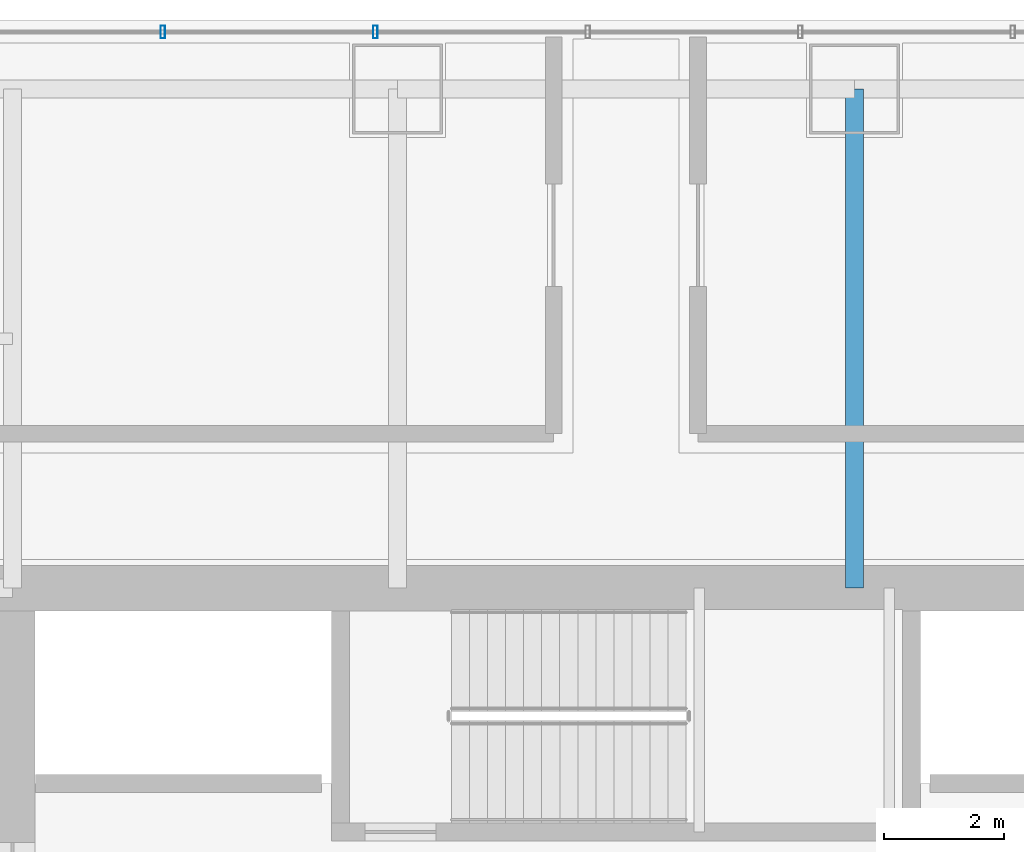
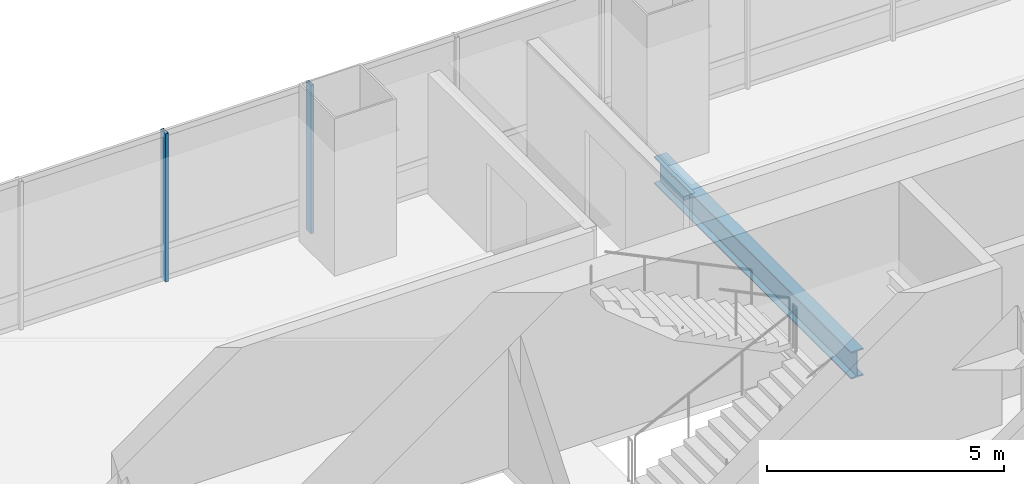
# One storey, part 21 of 36: 2 members, 1 beam, 1 element without a shape of its own.
"""IFC4 building model written with IfcOpenShell, lengths in metres."""

from ifc_helpers import new_model, si_unit, direction, frame, origin, origin_2d, place, context, subcontext, project, spatial, hollow_rectangle, i_section, extrude, material, material_profile, profile_set, type_object, element, aggregate, save


model = new_model("IFC4")

# Units and contexts
model_context = context("Model", 3, precision=1e-05, world=origin(), true_north=direction((0.0, 1.0)))
body_context = subcontext(model_context, "Body", "Model", "MODEL_VIEW")
ifc_project = project(units=[si_unit("LENGTHUNIT", "METRE"), si_unit("AREAUNIT", "SQUARE_METRE"), si_unit("VOLUMEUNIT", "CUBIC_METRE"), si_unit("PLANEANGLEUNIT", "RADIAN"), si_unit("MASSUNIT", "GRAM", prefix="KILO")], contexts=[model_context])

# Site, building, storey
site_placement = place(None, origin())
site = spatial("IfcSite", under=ifc_project, at=site_placement, CompositionType="ELEMENT")
building_placement = place(site_placement, origin())
building = spatial("IfcBuilding", under=site, at=building_placement, Name="Punatoya Terracotta Tower", CompositionType="ELEMENT")
storey_placement = place(building_placement, frame((0.0, 0.0, 48.449951171875)))
storey = spatial("IfcBuildingStorey", under=building, at=storey_placement, Name="L10", CompositionType="ELEMENT", Elevation=48.449951171875)

# Beam
ifc_material_1 = material(Name="Steel S355", Category="steel")
ifc_material_profile_1 = material_profile(ifc_material_1, i_section(OverallWidth=0.300048828125, OverallDepth=0.699951171875, WebThickness=0.01708984375, FlangeThickness=0.031982421875, FilletRadius=0.01806640625, at=origin_2d()))
ifc_profile_set_1 = profile_set([ifc_material_profile_1], Name="Steel S355")
beam_type = type_object("IfcBeamType", Name="BM-PRI-700", PredefinedType="BEAM", material=ifc_profile_set_1)
beam_placement = place(storey_placement, frame((3.800048828125, 9.199951171875, -0.58984375), z_axis=(0.0, 1.0, 0.0), x_axis=(-1.0, 0.0, 0.0)))
element("IfcBeam", 1, at=beam_placement, inside=storey, type_object=beam_type, Name="BM-L10-PR-N3", PredefinedType="BEAM", context=body_context, shape_type="SweptSolid", body=[
    extrude(i_section(OverallWidth=0.300048828125, OverallDepth=0.699951171875, WebThickness=0.01708984375, FlangeThickness=0.031982421875, FilletRadius=0.01806640625, at=origin_2d()), origin(), (0.0, 0.0, 1.0), 8.300048828125),
])

# Curtain wall, members
ifc_material_2 = material(Name="Aluminium 6063-T6 + Double Low-E Glass", Category="aluminium")
curtain_wall_type = type_object("IfcCurtainWallType", Name="CW-M1", PredefinedType="NOTDEFINED", material=ifc_material_2)
curtain_wall_placement = place(storey_placement, origin())
curtain_wall = element("IfcCurtainWall", 2, at=curtain_wall_placement, inside=storey, type_object=curtain_wall_type, Name="L10 Curtain Wall CW-L10-N09-1", PredefinedType="NOTDEFINED")
ifc_material_3 = material(Name="Aluminium 6063-T6", Category="aluminium")
ifc_material_profile_2 = material_profile(ifc_material_3, hollow_rectangle(XDim=0.074951171875, YDim=0.2099609375, WallThickness=0.00439453125, at=origin_2d()))
ifc_profile_set_2 = profile_set([ifc_material_profile_2], Name="Aluminium 6063-T6")
member_type = type_object("IfcMemberType", Name="CW-MUL-M1", PredefinedType="MULLION", material=ifc_profile_set_2)
member_1_placement = place(storey_placement, frame((-4.1669921875, 18.449951171875, 0.0), z_axis=(0.0, 0.0, 1.0), x_axis=(1.0, 0.0, 0.0)))
member_1 = element("IfcMember", 3, at=member_1_placement, type_object=member_type, Name="CW-L10-N09-1 Mullion 06", PredefinedType="MULLION", context=body_context, shape_type="SweptSolid", body=[
    extrude(hollow_rectangle(XDim=0.074951171875, YDim=0.2099609375, WallThickness=0.00439453125, at=origin_2d()), origin(), (0.0, 0.0, 1.0), 3.81005859375),
])
member_2_placement = place(storey_placement, frame((-7.700927734375, 18.449951171875, 0.0), z_axis=(0.0, 0.0, 1.0), x_axis=(1.0, 0.0, 0.0)))
member_2 = element("IfcMember", 4, at=member_2_placement, type_object=member_type, Name="CW-L10-N09-1 Mullion 07", PredefinedType="MULLION", context=body_context, shape_type="SweptSolid", body=[
    extrude(hollow_rectangle(XDim=0.074951171875, YDim=0.2099609375, WallThickness=0.00439453125, at=origin_2d()), origin(), (0.0, 0.0, 1.0), 3.81005859375),
])
aggregate(curtain_wall, [member_1, member_2])

save(model, "model.ifc")
